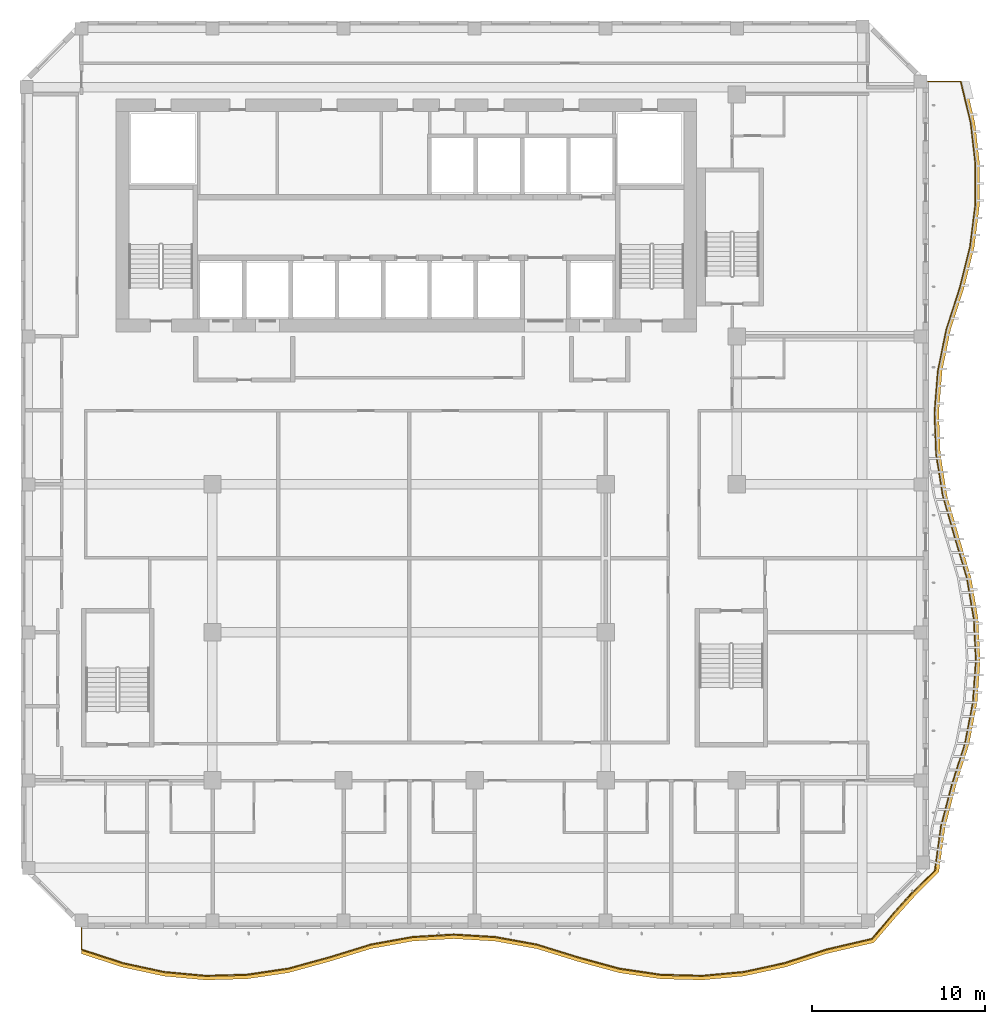
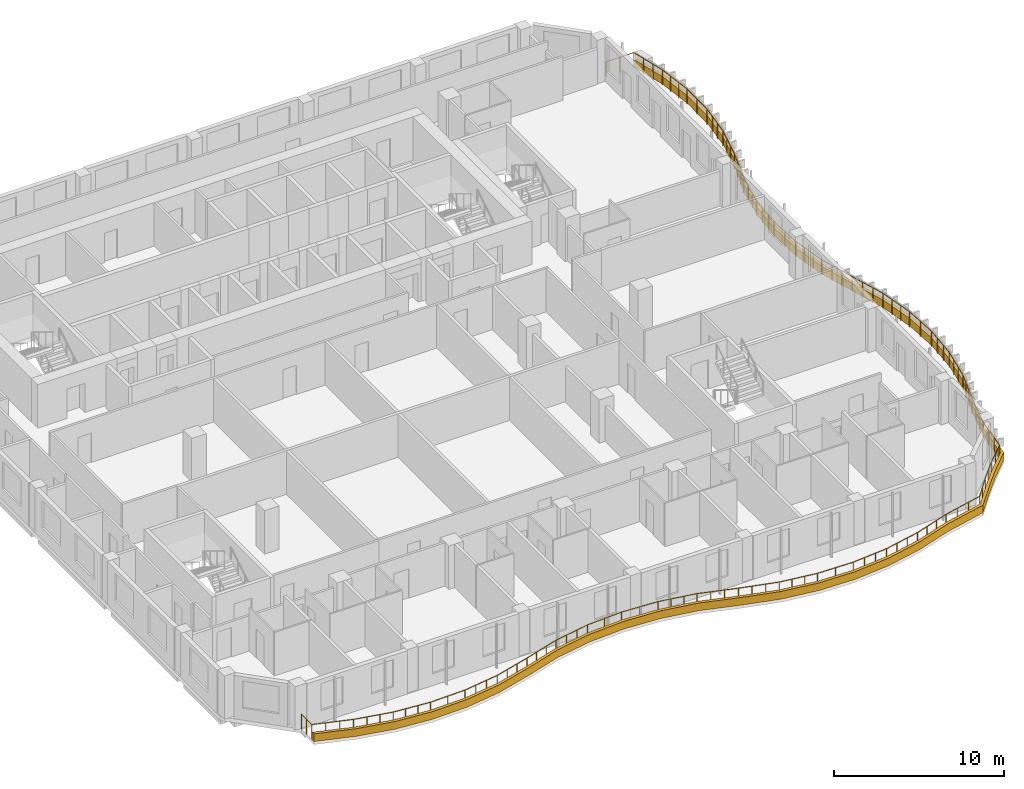
# One storey, part 16 of 22: 1 railing, 1 shading device.
"""IFC4 building model written with IfcOpenShell, lengths in metres."""

from ifc_helpers import new_model, si_unit, direction, frame, origin, origin_2d, place, context, subcontext, project, spatial, polyline, circle, outline, extrude, source, transform, mapped, material, layer, layer_set, type_object, element, save


model = new_model("IFC4")

# Units and contexts
model_context = context("Model", 3, precision=1e-05, world=origin(), true_north=direction((0.0, 1.0)))
body_context = subcontext(model_context, "Body", "Model", "MODEL_VIEW")
ifc_project = project(units=[si_unit("LENGTHUNIT", "METRE"), si_unit("AREAUNIT", "SQUARE_METRE"), si_unit("VOLUMEUNIT", "CUBIC_METRE"), si_unit("PLANEANGLEUNIT", "RADIAN"), si_unit("MASSUNIT", "GRAM", prefix="KILO")], contexts=[model_context])

# Site, building, storey
site_placement = place(None, origin())
site = spatial("IfcSite", under=ifc_project, at=site_placement, CompositionType="ELEMENT")
building_placement = place(site_placement, origin())
building = spatial("IfcBuilding", under=site, at=building_placement, Name="Kilnfold Tower and Market Hall", CompositionType="ELEMENT")
storey_placement = place(building_placement, frame((0.0, 0.0, 213.5)))
storey = spatial("IfcBuildingStorey", under=building, at=storey_placement, Name="L52", CompositionType="ELEMENT", Elevation=213.5)

# Railing
ifc_material_1 = material(Name="Stainless steel and laminated glass", Category="steel")
railing_type = type_object("IfcRailingType", Name="GUARD 1100", PredefinedType="GUARDRAIL", material=ifc_material_1)
railing_placement = place(storey_placement, frame((-17.75, -26.25, 0.0)))
element("IfcRailing", 1, at=railing_placement, inside=storey, type_object=railing_type, Name="Guard balcony L52", PredefinedType="GUARDRAIL", context=body_context, shape_type="SweptSolid", body=[
    extrude(circle(Radius=0.02490234375, at=origin_2d()), frame((0.0, 0.0, 1.0751953125), z_axis=(0.0, -1.0, 0.0), x_axis=(1.0, 0.0, 0.0)), (0.0, 0.0, 1.0), 1.224365234375),
    extrude(circle(Radius=0.02490234375, at=origin_2d()), frame((0.0, -1.224365234375, 1.0751953125), z_axis=(0.950974917233, -0.309268017736, 0.0), x_axis=(0.309268017736, 0.950974917233, 0.0)), (0.0, 0.0, 1.0), 2.518310546875),
    extrude(circle(Radius=0.02490234375, at=origin_2d()), frame((2.394775390625, -2.003173828125, 1.0751953125), z_axis=(0.977575784429, -0.210583916046, 0.0), x_axis=(0.210583916046, 0.977575784429, 0.0)), (0.0, 0.0, 1.0), 2.44970703125),
    extrude(circle(Radius=0.02490234375, at=origin_2d()), frame((4.78955078125, -2.51904296875, 1.0751953125), z_axis=(0.995788524299, -0.091679958956, 0.0), x_axis=(0.091679958956, 0.995788524299, 0.0)), (0.0, 0.0, 1.0), 2.404541015625),
    extrude(circle(Radius=0.02490234375, at=origin_2d()), frame((7.18408203125, -2.739501953125, 1.0751953125), z_axis=(0.999629744255, 0.027209821767, 0.0), x_axis=(-0.027209821767, 0.999629744255, 0.0)), (0.0, 0.0, 1.0), 2.395751953125),
    extrude(circle(Radius=0.02490234375, at=origin_2d()), frame((9.578857421875, -2.67431640625, 1.0751953125), z_axis=(0.989249979973, 0.146234322659, 0.0), x_axis=(-0.146234322659, 0.989249979973, 0.0)), (0.0, 0.0, 1.0), 2.4208984375),
    extrude(circle(Radius=0.02490234375, at=origin_2d()), frame((11.9736328125, -2.3203125, 1.0751953125), z_axis=(0.964217329388, 0.265113073439, 0.0), x_axis=(-0.265113073439, 0.964217329388, 0.0)), (0.0, 0.0, 1.0), 2.483642578125),
    extrude(circle(Radius=0.02490234375, at=origin_2d()), frame((14.368408203125, -1.661865234375, 1.0751953125), z_axis=(0.955618777997, 0.294606094878, 0.0), x_axis=(-0.294606094878, 0.955618777997, 0.0)), (0.0, 0.0, 1.0), 2.506103515625),
    extrude(circle(Radius=0.02490234375, at=origin_2d()), frame((16.76318359375, -0.923583984375, 1.0751953125), z_axis=(0.984089079297, 0.177675783406, 0.0), x_axis=(-0.177675783406, 0.984089079297, 0.0)), (0.0, 0.0, 1.0), 2.43359375),
    extrude(circle(Radius=0.02490234375, at=origin_2d()), frame((19.157958984375, -0.4912109375, 1.0751953125), z_axis=(0.998268049957, 0.058829418115, 0.0), x_axis=(-0.058829418115, 0.998268049957, 0.0)), (0.0, 0.0, 1.0), 2.398681640625),
    extrude(circle(Radius=0.02490234375, at=origin_2d()), frame((21.552490234375, -0.35009765625, 1.0751953125), z_axis=(0.998196318787, -0.06003423324, 0.0), x_axis=(0.06003423324, 0.998196318787, 0.0)), (0.0, 0.0, 1.0), 2.3994140625),
    extrude(circle(Radius=0.02490234375, at=origin_2d()), frame((23.947509765625, -0.494140625, 1.0751953125), z_axis=(0.983839401598, -0.179053153737, 0.0), x_axis=(0.179053153737, 0.983839401598, 0.0)), (0.0, 0.0, 1.0), 2.433837890625),
    extrude(circle(Radius=0.02490234375, at=origin_2d()), frame((26.342041015625, -0.929931640625, 1.0751953125), z_axis=(0.955344167839, -0.295495382325, 0.0), x_axis=(0.295495382325, 0.955344167839, 0.0)), (0.0, 0.0, 1.0), 2.5068359375),
    extrude(circle(Radius=0.02490234375, at=origin_2d()), frame((28.73681640625, -1.670654296875, 1.0751953125), z_axis=(0.964568398631, -0.263832909932, 0.0), x_axis=(0.263832909932, 0.964568398631, 0.0)), (0.0, 0.0, 1.0), 2.482666015625),
    extrude(circle(Radius=0.02490234375, at=origin_2d()), frame((31.131591796875, -2.32568359375, 1.0751953125), z_axis=(0.989438845711, -0.144950924792, 0.0), x_axis=(0.144950924792, 0.989438845711, 0.0)), (0.0, 0.0, 1.0), 2.42041015625),
    extrude(circle(Radius=0.02490234375, at=origin_2d()), frame((33.5263671875, -2.676513671875, 1.0751953125), z_axis=(0.999662261294, -0.02598775376, 0.0), x_axis=(0.02598775376, 0.999662261294, 0.0)), (0.0, 0.0, 1.0), 2.3955078125),
    extrude(circle(Radius=0.02490234375, at=origin_2d()), frame((35.921142578125, -2.73876953125, 1.0751953125), z_axis=(0.995668061089, 0.092979095112, 0.0), x_axis=(-0.092979095112, 0.995668061089, 0.0)), (0.0, 0.0, 1.0), 2.4052734375),
    extrude(circle(Radius=0.02490234375, at=origin_2d()), frame((38.31591796875, -2.51513671875, 1.0751953125), z_axis=(0.977283255554, 0.21193734549, 0.0), x_axis=(-0.21193734549, 0.977283255554, 0.0)), (0.0, 0.0, 1.0), 2.4501953125),
    extrude(circle(Radius=0.02490234375, at=origin_2d()), frame((40.71044921875, -1.995849609375, 1.0751953125), z_axis=(0.950917877768, 0.309443354657, 0.0), x_axis=(-0.309443354657, 0.950917877768, 0.0)), (0.0, 0.0, 1.0), 2.518310546875),
    extrude(circle(Radius=0.02490234375, at=origin_2d()), frame((43.105224609375, -1.216552734375, 1.0751953125), z_axis=(0.973733603056, 0.227690294654, 0.0), x_axis=(-0.227690294654, 0.973733603056, 0.0)), (0.0, 0.0, 1.0), 2.7138671875),
    extrude(circle(Radius=0.02490234375, at=origin_2d()), frame((45.747802734375, -0.5986328125, 1.0751953125), z_axis=(0.64208555825, 0.766632986432, 0.0), x_axis=(-0.766632986432, 0.64208555825, 0.0)), (0.0, 0.0, 1.0), 1.9052734375),
    extrude(circle(Radius=0.02490234375, at=origin_2d()), frame((46.97119140625, 0.862060546875, 1.0751953125), z_axis=(0.67198840557, 0.740561667101, 0.0), x_axis=(-0.740561667101, 0.67198840557, 0.0)), (0.0, 0.0, 1.0), 1.65185546875),
    extrude(circle(Radius=0.02490234375, at=origin_2d()), frame((48.081298828125, 2.08544921875, 1.0751953125), z_axis=(0.716444502051, 0.697644089405, 0.0), x_axis=(-0.697644089405, 0.716444502051, 0.0)), (0.0, 0.0, 1.0), 1.804931640625),
    extrude(circle(Radius=0.02490234375, at=origin_2d()), frame((49.37451171875, 3.3447265625, 1.0751953125), z_axis=(0.137596798366, 0.990488324555, 0.0), x_axis=(-0.990488324555, 0.137596798366, 0.0)), (0.0, 0.0, 1.0), 2.574462890625),
    extrude(circle(Radius=0.02490234375, at=origin_2d()), frame((49.728759765625, 5.894775390625, 1.0751953125), z_axis=(0.252710991738, 0.967541810288, 0.0), x_axis=(-0.967541810288, 0.252710991738, 0.0)), (0.0, 0.0, 1.0), 2.47509765625),
    extrude(circle(Radius=0.02490234375, at=origin_2d()), frame((50.354248046875, 8.28955078125, 1.0751953125), z_axis=(0.302256784173, 0.953226539927, 0.0), x_axis=(-0.953226539927, 0.302256784173, 0.0)), (0.0, 0.0, 1.0), 2.511962890625),
    extrude(circle(Radius=0.02490234375, at=origin_2d()), frame((51.113525390625, 10.68408203125, 1.0751953125), z_axis=(0.190165057886, 0.981752133056, 0.0), x_axis=(-0.981752133056, 0.190165057886, 0.0)), (0.0, 0.0, 1.0), 2.439208984375),
    extrude(circle(Radius=0.02490234375, at=origin_2d()), frame((51.577392578125, 13.078857421875, 1.0751953125), z_axis=(0.07128318268, 0.997456118266, 0.0), x_axis=(-0.997456118266, 0.07128318268, 0.0)), (0.0, 0.0, 1.0), 2.40087890625),
    extrude(circle(Radius=0.02490234375, at=origin_2d()), frame((51.74853515625, 15.4736328125, 1.0751953125), z_axis=(-0.047657073898, 0.998863756129, 0.0), x_axis=(-0.998863756129, -0.047657073898, 0.0)), (0.0, 0.0, 1.0), 2.3974609375),
    extrude(circle(Radius=0.02490234375, at=origin_2d()), frame((51.63427734375, 17.868408203125, 1.0751953125), z_axis=(-0.166566627006, 0.986030201752, 0.0), x_axis=(-0.986030201752, -0.166566627006, 0.0)), (0.0, 0.0, 1.0), 2.4287109375),
    extrude(circle(Radius=0.02490234375, at=origin_2d()), frame((51.229736328125, 20.26318359375, 1.0751953125), z_axis=(-0.285402117168, 0.95840786282, 0.0), x_axis=(-0.95840786282, -0.285402117168, 0.0)), (0.0, 0.0, 1.0), 2.498779296875),
    extrude(circle(Radius=0.02490234375, at=origin_2d()), frame((50.5166015625, 22.657958984375, 1.0751953125), z_axis=(-0.276325526195, 0.961064099617, 0.0), x_axis=(-0.961064099617, -0.276325526195, 0.0)), (0.0, 0.0, 1.0), 2.491455078125),
    extrude(circle(Radius=0.02490234375, at=origin_2d()), frame((49.828125, 25.052490234375, 1.0751953125), z_axis=(-0.157342648523, 0.987544070387, 0.0), x_axis=(-0.987544070387, -0.157342648523, 0.0)), (0.0, 0.0, 1.0), 2.42529296875),
    extrude(circle(Radius=0.02490234375, at=origin_2d()), frame((49.446533203125, 27.447509765625, 1.0751953125), z_axis=(-0.038409645508, 0.999262077301, 0.0), x_axis=(-0.999262077301, -0.038409645508, 0.0)), (0.0, 0.0, 1.0), 2.396240234375),
    extrude(circle(Radius=0.02490234375, at=origin_2d()), frame((49.3544921875, 29.842041015625, 1.0751953125), z_axis=(0.080480264279, 0.996756202419, 0.0), x_axis=(-0.996756202419, 0.080480264279, 0.0)), (0.0, 0.0, 1.0), 2.402587890625),
    extrude(circle(Radius=0.02490234375, at=origin_2d()), frame((49.5478515625, 32.23681640625, 1.0751953125), z_axis=(0.199496129353, 0.979898614334, 0.0), x_axis=(-0.979898614334, 0.199496129353, 0.0)), (0.0, 0.0, 1.0), 2.44384765625),
    extrude(circle(Radius=0.02490234375, at=origin_2d()), frame((50.035400390625, 34.631591796875, 1.0751953125), z_axis=(0.306282472016, 0.951940674273, 0.0), x_axis=(-0.951940674273, 0.306282472016, 0.0)), (0.0, 0.0, 1.0), 2.515625),
    extrude(circle(Radius=0.02490234375, at=origin_2d()), frame((50.805908203125, 37.0263671875, 1.0751953125), z_axis=(0.243442889594, 0.969915233155, 0.0), x_axis=(-0.969915233155, 0.243442889594, 0.0)), (0.0, 0.0, 1.0), 2.468994140625),
    extrude(circle(Radius=0.02490234375, at=origin_2d()), frame((51.406982421875, 39.421142578125, 1.0751953125), z_axis=(0.124520257707, 0.992217065677, 0.0), x_axis=(-0.992217065677, 0.124520257707, 0.0)), (0.0, 0.0, 1.0), 2.41357421875),
    extrude(circle(Radius=0.02490234375, at=origin_2d()), frame((51.70751953125, 41.81591796875, 1.0751953125), z_axis=(0.00550562618, 0.999984843925, 0.0), x_axis=(-0.999984843925, 0.00550562618, 0.0)), (0.0, 0.0, 1.0), 2.39453125),
    extrude(circle(Radius=0.02490234375, at=origin_2d()), frame((51.720703125, 44.21044921875, 1.0751953125), z_axis=(-0.113343763482, 0.993555831989, 0.0), x_axis=(-0.993555831989, -0.113343763482, 0.0)), (0.0, 0.0, 1.0), 2.410400390625),
    extrude(circle(Radius=0.02490234375, at=origin_2d()), frame((51.447509765625, 46.605224609375, 1.0751953125), z_axis=(-0.232326486138, 0.972637858526, 0.0), x_axis=(-0.972637858526, -0.232326486138, 0.0)), (0.0, 0.0, 1.0), 2.462158203125),
    extrude(circle(Radius=0.02490234375, at=origin_2d()), frame((50.87548828125, 49.0, 1.0751953125), z_axis=(-1.0, 0.0, 0.0), x_axis=(0.0, -1.0, 0.0)), (0.0, 0.0, 1.0), 1.87548828125),
    extrude(circle(Radius=0.02490234375, at=origin_2d()), origin(), (0.0, 0.0, 1.0), 1.050048828125),
    extrude(circle(Radius=0.02490234375, at=origin_2d()), frame((0.0, -0.6123046875, 0.0)), (0.0, 0.0, 1.0), 1.050048828125),
    extrude(circle(Radius=0.02490234375, at=origin_2d()), frame((0.0, -1.224365234375, 0.0)), (0.0, 0.0, 1.0), 1.050048828125),
    extrude(circle(Radius=0.02490234375, at=origin_2d()), frame((0.79833984375, -1.48388671875, 0.0)), (0.0, 0.0, 1.0), 1.050048828125),
    extrude(circle(Radius=0.02490234375, at=origin_2d()), frame((1.596435546875, -1.74365234375, 0.0)), (0.0, 0.0, 1.0), 1.050048828125),
    extrude(circle(Radius=0.02490234375, at=origin_2d()), frame((2.394775390625, -2.003173828125, 0.0)), (0.0, 0.0, 1.0), 1.050048828125),
    extrude(circle(Radius=0.02490234375, at=origin_2d()), frame((3.193115234375, -2.175048828125, 0.0)), (0.0, 0.0, 1.0), 1.050048828125),
    extrude(circle(Radius=0.02490234375, at=origin_2d()), frame((3.9912109375, -2.34716796875, 0.0)), (0.0, 0.0, 1.0), 1.050048828125),
    extrude(circle(Radius=0.02490234375, at=origin_2d()), frame((4.78955078125, -2.51904296875, 0.0)), (0.0, 0.0, 1.0), 1.050048828125),
    extrude(circle(Radius=0.02490234375, at=origin_2d()), frame((5.587646484375, -2.592529296875, 0.0)), (0.0, 0.0, 1.0), 1.050048828125),
    extrude(circle(Radius=0.02490234375, at=origin_2d()), frame((6.385986328125, -2.666015625, 0.0)), (0.0, 0.0, 1.0), 1.050048828125),
    extrude(circle(Radius=0.02490234375, at=origin_2d()), frame((7.18408203125, -2.739501953125, 0.0)), (0.0, 0.0, 1.0), 1.050048828125),
    extrude(circle(Radius=0.02490234375, at=origin_2d()), frame((8.38134765625, -2.70703125, 0.0)), (0.0, 0.0, 1.0), 1.050048828125),
    extrude(circle(Radius=0.02490234375, at=origin_2d()), frame((9.578857421875, -2.67431640625, 0.0)), (0.0, 0.0, 1.0), 1.050048828125),
    extrude(circle(Radius=0.02490234375, at=origin_2d()), frame((10.377197265625, -2.556396484375, 0.0)), (0.0, 0.0, 1.0), 1.050048828125),
    extrude(circle(Radius=0.02490234375, at=origin_2d()), frame((11.17529296875, -2.438232421875, 0.0)), (0.0, 0.0, 1.0), 1.050048828125),
    extrude(circle(Radius=0.02490234375, at=origin_2d()), frame((11.9736328125, -2.3203125, 0.0)), (0.0, 0.0, 1.0), 1.050048828125),
    extrude(circle(Radius=0.02490234375, at=origin_2d()), frame((12.77197265625, -2.100830078125, 0.0)), (0.0, 0.0, 1.0), 1.050048828125),
    extrude(circle(Radius=0.02490234375, at=origin_2d()), frame((13.570068359375, -1.88134765625, 0.0)), (0.0, 0.0, 1.0), 1.050048828125),
    extrude(circle(Radius=0.02490234375, at=origin_2d()), frame((14.368408203125, -1.661865234375, 0.0)), (0.0, 0.0, 1.0), 1.050048828125),
    extrude(circle(Radius=0.02490234375, at=origin_2d()), frame((15.166748046875, -1.415771484375, 0.0)), (0.0, 0.0, 1.0), 1.050048828125),
    extrude(circle(Radius=0.02490234375, at=origin_2d()), frame((15.96484375, -1.169677734375, 0.0)), (0.0, 0.0, 1.0), 1.050048828125),
    extrude(circle(Radius=0.02490234375, at=origin_2d()), frame((16.76318359375, -0.923583984375, 0.0)), (0.0, 0.0, 1.0), 1.050048828125),
    extrude(circle(Radius=0.02490234375, at=origin_2d()), frame((17.5615234375, -0.779541015625, 0.0)), (0.0, 0.0, 1.0), 1.050048828125),
    extrude(circle(Radius=0.02490234375, at=origin_2d()), frame((18.359619140625, -0.63525390625, 0.0)), (0.0, 0.0, 1.0), 1.050048828125),
    extrude(circle(Radius=0.02490234375, at=origin_2d()), frame((19.157958984375, -0.4912109375, 0.0)), (0.0, 0.0, 1.0), 1.050048828125),
    extrude(circle(Radius=0.02490234375, at=origin_2d()), frame((20.355224609375, -0.420654296875, 0.0)), (0.0, 0.0, 1.0), 1.050048828125),
    extrude(circle(Radius=0.02490234375, at=origin_2d()), frame((21.552490234375, -0.35009765625, 0.0)), (0.0, 0.0, 1.0), 1.050048828125),
    extrude(circle(Radius=0.02490234375, at=origin_2d()), frame((22.75, -0.422119140625, 0.0)), (0.0, 0.0, 1.0), 1.050048828125),
    extrude(circle(Radius=0.02490234375, at=origin_2d()), frame((23.947509765625, -0.494140625, 0.0)), (0.0, 0.0, 1.0), 1.050048828125),
    extrude(circle(Radius=0.02490234375, at=origin_2d()), frame((24.74560546875, -0.639404296875, 0.0)), (0.0, 0.0, 1.0), 1.050048828125),
    extrude(circle(Radius=0.02490234375, at=origin_2d()), frame((25.5439453125, -0.78466796875, 0.0)), (0.0, 0.0, 1.0), 1.050048828125),
    extrude(circle(Radius=0.02490234375, at=origin_2d()), frame((26.342041015625, -0.929931640625, 0.0)), (0.0, 0.0, 1.0), 1.050048828125),
    extrude(circle(Radius=0.02490234375, at=origin_2d()), frame((27.140380859375, -1.1767578125, 0.0)), (0.0, 0.0, 1.0), 1.050048828125),
    extrude(circle(Radius=0.02490234375, at=origin_2d()), frame((27.9384765625, -1.423828125, 0.0)), (0.0, 0.0, 1.0), 1.050048828125),
    extrude(circle(Radius=0.02490234375, at=origin_2d()), frame((28.73681640625, -1.670654296875, 0.0)), (0.0, 0.0, 1.0), 1.050048828125),
    extrude(circle(Radius=0.02490234375, at=origin_2d()), frame((29.53515625, -1.888916015625, 0.0)), (0.0, 0.0, 1.0), 1.050048828125),
    extrude(circle(Radius=0.02490234375, at=origin_2d()), frame((30.333251953125, -2.107421875, 0.0)), (0.0, 0.0, 1.0), 1.050048828125),
    extrude(circle(Radius=0.02490234375, at=origin_2d()), frame((31.131591796875, -2.32568359375, 0.0)), (0.0, 0.0, 1.0), 1.050048828125),
    extrude(circle(Radius=0.02490234375, at=origin_2d()), frame((31.929931640625, -2.442626953125, 0.0)), (0.0, 0.0, 1.0), 1.050048828125),
    extrude(circle(Radius=0.02490234375, at=origin_2d()), frame((32.72802734375, -2.5595703125, 0.0)), (0.0, 0.0, 1.0), 1.050048828125),
    extrude(circle(Radius=0.02490234375, at=origin_2d()), frame((33.5263671875, -2.676513671875, 0.0)), (0.0, 0.0, 1.0), 1.050048828125),
    extrude(circle(Radius=0.02490234375, at=origin_2d()), frame((34.7236328125, -2.70751953125, 0.0)), (0.0, 0.0, 1.0), 1.050048828125),
    extrude(circle(Radius=0.02490234375, at=origin_2d()), frame((35.921142578125, -2.73876953125, 0.0)), (0.0, 0.0, 1.0), 1.050048828125),
    extrude(circle(Radius=0.02490234375, at=origin_2d()), frame((36.719482421875, -2.664306640625, 0.0)), (0.0, 0.0, 1.0), 1.050048828125),
    extrude(circle(Radius=0.02490234375, at=origin_2d()), frame((37.517578125, -2.589599609375, 0.0)), (0.0, 0.0, 1.0), 1.050048828125),
    extrude(circle(Radius=0.02490234375, at=origin_2d()), frame((38.31591796875, -2.51513671875, 0.0)), (0.0, 0.0, 1.0), 1.050048828125),
    extrude(circle(Radius=0.02490234375, at=origin_2d()), frame((39.114013671875, -2.342041015625, 0.0)), (0.0, 0.0, 1.0), 1.050048828125),
    extrude(circle(Radius=0.02490234375, at=origin_2d()), frame((39.912353515625, -2.1689453125, 0.0)), (0.0, 0.0, 1.0), 1.050048828125),
    extrude(circle(Radius=0.02490234375, at=origin_2d()), frame((40.71044921875, -1.995849609375, 0.0)), (0.0, 0.0, 1.0), 1.050048828125),
    extrude(circle(Radius=0.02490234375, at=origin_2d()), frame((41.5087890625, -1.736083984375, 0.0)), (0.0, 0.0, 1.0), 1.050048828125),
    extrude(circle(Radius=0.02490234375, at=origin_2d()), frame((42.306884765625, -1.476318359375, 0.0)), (0.0, 0.0, 1.0), 1.050048828125),
    extrude(circle(Radius=0.02490234375, at=origin_2d()), frame((43.105224609375, -1.216552734375, 0.0)), (0.0, 0.0, 1.0), 1.050048828125),
    extrude(circle(Radius=0.02490234375, at=origin_2d()), frame((43.986083984375, -1.010498046875, 0.0)), (0.0, 0.0, 1.0), 1.050048828125),
    extrude(circle(Radius=0.02490234375, at=origin_2d()), frame((44.866943359375, -0.8046875, 0.0)), (0.0, 0.0, 1.0), 1.050048828125),
    extrude(circle(Radius=0.02490234375, at=origin_2d()), frame((45.747802734375, -0.5986328125, 0.0)), (0.0, 0.0, 1.0), 1.050048828125),
    extrude(circle(Radius=0.02490234375, at=origin_2d()), frame((46.359375, 0.1318359375, 0.0)), (0.0, 0.0, 1.0), 1.050048828125),
    extrude(circle(Radius=0.02490234375, at=origin_2d()), frame((46.97119140625, 0.862060546875, 0.0)), (0.0, 0.0, 1.0), 1.050048828125),
    extrude(circle(Radius=0.02490234375, at=origin_2d()), frame((47.5263671875, 1.4736328125, 0.0)), (0.0, 0.0, 1.0), 1.050048828125),
    extrude(circle(Radius=0.02490234375, at=origin_2d()), frame((48.081298828125, 2.08544921875, 0.0)), (0.0, 0.0, 1.0), 1.050048828125),
    extrude(circle(Radius=0.02490234375, at=origin_2d()), frame((48.72802734375, 2.715087890625, 0.0)), (0.0, 0.0, 1.0), 1.050048828125),
    extrude(circle(Radius=0.02490234375, at=origin_2d()), frame((49.37451171875, 3.3447265625, 0.0)), (0.0, 0.0, 1.0), 1.050048828125),
    extrude(circle(Radius=0.02490234375, at=origin_2d()), frame((49.49267578125, 4.19482421875, 0.0)), (0.0, 0.0, 1.0), 1.050048828125),
    extrude(circle(Radius=0.02490234375, at=origin_2d()), frame((49.610595703125, 5.044677734375, 0.0)), (0.0, 0.0, 1.0), 1.050048828125),
    extrude(circle(Radius=0.02490234375, at=origin_2d()), frame((49.728759765625, 5.894775390625, 0.0)), (0.0, 0.0, 1.0), 1.050048828125),
    extrude(circle(Radius=0.02490234375, at=origin_2d()), frame((49.937255859375, 6.693115234375, 0.0)), (0.0, 0.0, 1.0), 1.050048828125),
    extrude(circle(Radius=0.02490234375, at=origin_2d()), frame((50.145751953125, 7.4912109375, 0.0)), (0.0, 0.0, 1.0), 1.050048828125),
    extrude(circle(Radius=0.02490234375, at=origin_2d()), frame((50.354248046875, 8.28955078125, 0.0)), (0.0, 0.0, 1.0), 1.050048828125),
    extrude(circle(Radius=0.02490234375, at=origin_2d()), frame((50.607421875, 9.087646484375, 0.0)), (0.0, 0.0, 1.0), 1.050048828125),
    extrude(circle(Radius=0.02490234375, at=origin_2d()), frame((50.8603515625, 9.885986328125, 0.0)), (0.0, 0.0, 1.0), 1.050048828125),
    extrude(circle(Radius=0.02490234375, at=origin_2d()), frame((51.113525390625, 10.68408203125, 0.0)), (0.0, 0.0, 1.0), 1.050048828125),
    extrude(circle(Radius=0.02490234375, at=origin_2d()), frame((51.26806640625, 11.482421875, 0.0)), (0.0, 0.0, 1.0), 1.050048828125),
    extrude(circle(Radius=0.02490234375, at=origin_2d()), frame((51.4228515625, 12.280517578125, 0.0)), (0.0, 0.0, 1.0), 1.050048828125),
    extrude(circle(Radius=0.02490234375, at=origin_2d()), frame((51.577392578125, 13.078857421875, 0.0)), (0.0, 0.0, 1.0), 1.050048828125),
    extrude(circle(Radius=0.02490234375, at=origin_2d()), frame((51.634521484375, 13.877197265625, 0.0)), (0.0, 0.0, 1.0), 1.050048828125),
    extrude(circle(Radius=0.02490234375, at=origin_2d()), frame((51.69140625, 14.67529296875, 0.0)), (0.0, 0.0, 1.0), 1.050048828125),
    extrude(circle(Radius=0.02490234375, at=origin_2d()), frame((51.74853515625, 15.4736328125, 0.0)), (0.0, 0.0, 1.0), 1.050048828125),
    extrude(circle(Radius=0.02490234375, at=origin_2d()), frame((51.69140625, 16.6708984375, 0.0)), (0.0, 0.0, 1.0), 1.050048828125),
    extrude(circle(Radius=0.02490234375, at=origin_2d()), frame((51.63427734375, 17.868408203125, 0.0)), (0.0, 0.0, 1.0), 1.050048828125),
    extrude(circle(Radius=0.02490234375, at=origin_2d()), frame((51.49951171875, 18.666748046875, 0.0)), (0.0, 0.0, 1.0), 1.050048828125),
    extrude(circle(Radius=0.02490234375, at=origin_2d()), frame((51.364501953125, 19.46484375, 0.0)), (0.0, 0.0, 1.0), 1.050048828125),
    extrude(circle(Radius=0.02490234375, at=origin_2d()), frame((51.229736328125, 20.26318359375, 0.0)), (0.0, 0.0, 1.0), 1.050048828125),
    extrude(circle(Radius=0.02490234375, at=origin_2d()), frame((50.991943359375, 21.0615234375, 0.0)), (0.0, 0.0, 1.0), 1.050048828125),
    extrude(circle(Radius=0.02490234375, at=origin_2d()), frame((50.75439453125, 21.859619140625, 0.0)), (0.0, 0.0, 1.0), 1.050048828125),
    extrude(circle(Radius=0.02490234375, at=origin_2d()), frame((50.5166015625, 22.657958984375, 0.0)), (0.0, 0.0, 1.0), 1.050048828125),
    extrude(circle(Radius=0.02490234375, at=origin_2d()), frame((50.287109375, 23.4560546875, 0.0)), (0.0, 0.0, 1.0), 1.050048828125),
    extrude(circle(Radius=0.02490234375, at=origin_2d()), frame((50.0576171875, 24.25439453125, 0.0)), (0.0, 0.0, 1.0), 1.050048828125),
    extrude(circle(Radius=0.02490234375, at=origin_2d()), frame((49.828125, 25.052490234375, 0.0)), (0.0, 0.0, 1.0), 1.050048828125),
    extrude(circle(Radius=0.02490234375, at=origin_2d()), frame((49.700927734375, 25.850830078125, 0.0)), (0.0, 0.0, 1.0), 1.050048828125),
    extrude(circle(Radius=0.02490234375, at=origin_2d()), frame((49.57373046875, 26.649169921875, 0.0)), (0.0, 0.0, 1.0), 1.050048828125),
    extrude(circle(Radius=0.02490234375, at=origin_2d()), frame((49.446533203125, 27.447509765625, 0.0)), (0.0, 0.0, 1.0), 1.050048828125),
    extrude(circle(Radius=0.02490234375, at=origin_2d()), frame((49.400390625, 28.644775390625, 0.0)), (0.0, 0.0, 1.0), 1.050048828125),
    extrude(circle(Radius=0.02490234375, at=origin_2d()), frame((49.3544921875, 29.842041015625, 0.0)), (0.0, 0.0, 1.0), 1.050048828125),
    extrude(circle(Radius=0.02490234375, at=origin_2d()), frame((49.4189453125, 30.640380859375, 0.0)), (0.0, 0.0, 1.0), 1.050048828125),
    extrude(circle(Radius=0.02490234375, at=origin_2d()), frame((49.4833984375, 31.4384765625, 0.0)), (0.0, 0.0, 1.0), 1.050048828125),
    extrude(circle(Radius=0.02490234375, at=origin_2d()), frame((49.5478515625, 32.23681640625, 0.0)), (0.0, 0.0, 1.0), 1.050048828125),
    extrude(circle(Radius=0.02490234375, at=origin_2d()), frame((49.71044921875, 33.03515625, 0.0)), (0.0, 0.0, 1.0), 1.050048828125),
    extrude(circle(Radius=0.02490234375, at=origin_2d()), frame((49.872802734375, 33.833251953125, 0.0)), (0.0, 0.0, 1.0), 1.050048828125),
    extrude(circle(Radius=0.02490234375, at=origin_2d()), frame((50.035400390625, 34.631591796875, 0.0)), (0.0, 0.0, 1.0), 1.050048828125),
    extrude(circle(Radius=0.02490234375, at=origin_2d()), frame((50.292236328125, 35.429931640625, 0.0)), (0.0, 0.0, 1.0), 1.050048828125),
    extrude(circle(Radius=0.02490234375, at=origin_2d()), frame((50.549072265625, 36.22802734375, 0.0)), (0.0, 0.0, 1.0), 1.050048828125),
    extrude(circle(Radius=0.02490234375, at=origin_2d()), frame((50.805908203125, 37.0263671875, 0.0)), (0.0, 0.0, 1.0), 1.050048828125),
    extrude(circle(Radius=0.02490234375, at=origin_2d()), frame((51.00634765625, 37.82470703125, 0.0)), (0.0, 0.0, 1.0), 1.050048828125),
    extrude(circle(Radius=0.02490234375, at=origin_2d()), frame((51.20654296875, 38.622802734375, 0.0)), (0.0, 0.0, 1.0), 1.050048828125),
    extrude(circle(Radius=0.02490234375, at=origin_2d()), frame((51.406982421875, 39.421142578125, 0.0)), (0.0, 0.0, 1.0), 1.050048828125),
    extrude(circle(Radius=0.02490234375, at=origin_2d()), frame((51.507080078125, 40.219482421875, 0.0)), (0.0, 0.0, 1.0), 1.050048828125),
    extrude(circle(Radius=0.02490234375, at=origin_2d()), frame((51.607421875, 41.017578125, 0.0)), (0.0, 0.0, 1.0), 1.050048828125),
    extrude(circle(Radius=0.02490234375, at=origin_2d()), frame((51.70751953125, 41.81591796875, 0.0)), (0.0, 0.0, 1.0), 1.050048828125),
    extrude(circle(Radius=0.02490234375, at=origin_2d()), frame((51.714111328125, 43.01318359375, 0.0)), (0.0, 0.0, 1.0), 1.050048828125),
    extrude(circle(Radius=0.02490234375, at=origin_2d()), frame((51.720703125, 44.21044921875, 0.0)), (0.0, 0.0, 1.0), 1.050048828125),
    extrude(circle(Radius=0.02490234375, at=origin_2d()), frame((51.629638671875, 45.0087890625, 0.0)), (0.0, 0.0, 1.0), 1.050048828125),
    extrude(circle(Radius=0.02490234375, at=origin_2d()), frame((51.53857421875, 45.806884765625, 0.0)), (0.0, 0.0, 1.0), 1.050048828125),
    extrude(circle(Radius=0.02490234375, at=origin_2d()), frame((51.447509765625, 46.605224609375, 0.0)), (0.0, 0.0, 1.0), 1.050048828125),
    extrude(circle(Radius=0.02490234375, at=origin_2d()), frame((51.2568359375, 47.403564453125, 0.0)), (0.0, 0.0, 1.0), 1.050048828125),
    extrude(circle(Radius=0.02490234375, at=origin_2d()), frame((51.066162109375, 48.20166015625, 0.0)), (0.0, 0.0, 1.0), 1.050048828125),
    extrude(circle(Radius=0.02490234375, at=origin_2d()), frame((50.87548828125, 49.0, 0.0)), (0.0, 0.0, 1.0), 1.050048828125),
    extrude(circle(Radius=0.02490234375, at=origin_2d()), frame((49.937744140625, 49.0, 0.0)), (0.0, 0.0, 1.0), 1.050048828125),
    extrude(circle(Radius=0.02490234375, at=origin_2d()), frame((49.0, 49.0, 0.0)), (0.0, 0.0, 1.0), 1.050048828125),
])

# Shading device
ifc_material_2 = material(Name="Precast concrete C50/60", Category="concrete")
ifc_layer = layer(ifc_material_2, 0.550048828125)
ifc_layer_set = layer_set([ifc_layer], Name="Precast concrete C50/60")
shading_device_type = type_object("IfcShadingDeviceType", Name="BALCONY UPSTAND 550", PredefinedType="USERDEFINED", material=ifc_layer_set)
shared_shape = source(origin(), body_context, "Body", "SweptSolid", [
    extrude(outline(polyline([(-17.75, -27.724365234375), (-15.355224609375, -28.503173828125), (-12.96044921875, -29.01904296875), (-10.56591796875, -29.239501953125), (-8.171142578125, -29.17431640625), (-5.7763671875, -28.8203125), (-3.381591796875, -28.161865234375), (-0.98681640625, -27.423583984375), (1.407958984375, -26.9912109375), (3.802490234375, -26.85009765625), (6.197509765625, -26.994140625), (8.592041015625, -27.429931640625), (10.98681640625, -28.170654296875), (13.381591796875, -28.82568359375), (15.7763671875, -29.176513671875), (18.171142578125, -29.23876953125), (20.56591796875, -29.01513671875), (22.96044921875, -28.495849609375), (25.355224609375, -27.716552734375), (28.093505859375, -27.07958984375), (29.398193359375, -25.564697265625), (30.508056640625, -24.34130859375), (31.855712890625, -23.0009765625), (32.228759765625, -20.355224609375), (32.854248046875, -17.96044921875), (33.613525390625, -15.56591796875), (34.077392578125, -13.171142578125), (34.24853515625, -10.7763671875), (34.13427734375, -8.381591796875), (33.729736328125, -5.98681640625), (33.0166015625, -3.592041015625), (32.328125, -1.197509765625), (31.946533203125, 1.197509765625), (31.8544921875, 3.592041015625), (32.0478515625, 5.98681640625), (32.535400390625, 8.381591796875), (33.305908203125, 10.7763671875), (33.906982421875, 13.171142578125), (34.20751953125, 15.56591796875), (34.220703125, 17.96044921875), (33.947509765625, 20.355224609375), (33.37548828125, 22.75), (33.175537109375, 22.75), (33.74755859375, 20.355224609375), (34.020751953125, 17.96044921875), (34.00732421875, 15.56591796875), (33.706787109375, 13.171142578125), (33.105712890625, 10.7763671875), (32.335205078125, 8.381591796875), (31.847900390625, 5.98681640625), (31.654541015625, 3.592041015625), (31.74658203125, 1.197509765625), (32.128173828125, -1.197509765625), (32.816650390625, -3.592041015625), (33.52978515625, -5.98681640625), (33.934326171875, -8.381591796875), (34.048583984375, -10.7763671875), (33.87744140625, -13.171142578125), (33.41357421875, -15.56591796875), (32.654296875, -17.96044921875), (32.02880859375, -20.355224609375), (31.6708984375, -22.92431640625), (30.36669921875, -24.199951171875), (29.256591796875, -25.42333984375), (28.01708984375, -26.894775390625), (25.355224609375, -27.5166015625), (22.96044921875, -28.2958984375), (20.56591796875, -28.815185546875), (18.171142578125, -29.038818359375), (15.7763671875, -28.9765625), (13.381591796875, -28.625732421875), (10.98681640625, -27.970703125), (8.592041015625, -27.22998046875), (6.197509765625, -26.794189453125), (3.802490234375, -26.64990234375), (1.407958984375, -26.791015625), (-0.98681640625, -27.2236328125), (-3.381591796875, -27.9619140625), (-5.7763671875, -28.620361328125), (-8.171142578125, -28.974365234375), (-10.56591796875, -29.03955078125), (-12.96044921875, -28.819091796875), (-15.355224609375, -28.30322265625), (-17.75, -27.5244140625), (-17.75, -27.724365234375)])), origin(), (0.0, 0.0, 1.0), 0.550048828125),
])
shading_device_placement = place(storey_placement, origin())
element("IfcShadingDevice", 2, at=shading_device_placement, inside=storey, type_object=shading_device_type, Name="Balcony fascia L52", ObjectType="FASCIA", PredefinedType="USERDEFINED", context=body_context, shape_type="MappedRepresentation", body=[
    mapped(shared_shape, transform((0.0, 0.0, 0.0))),
])

save(model, "model.ifc")
